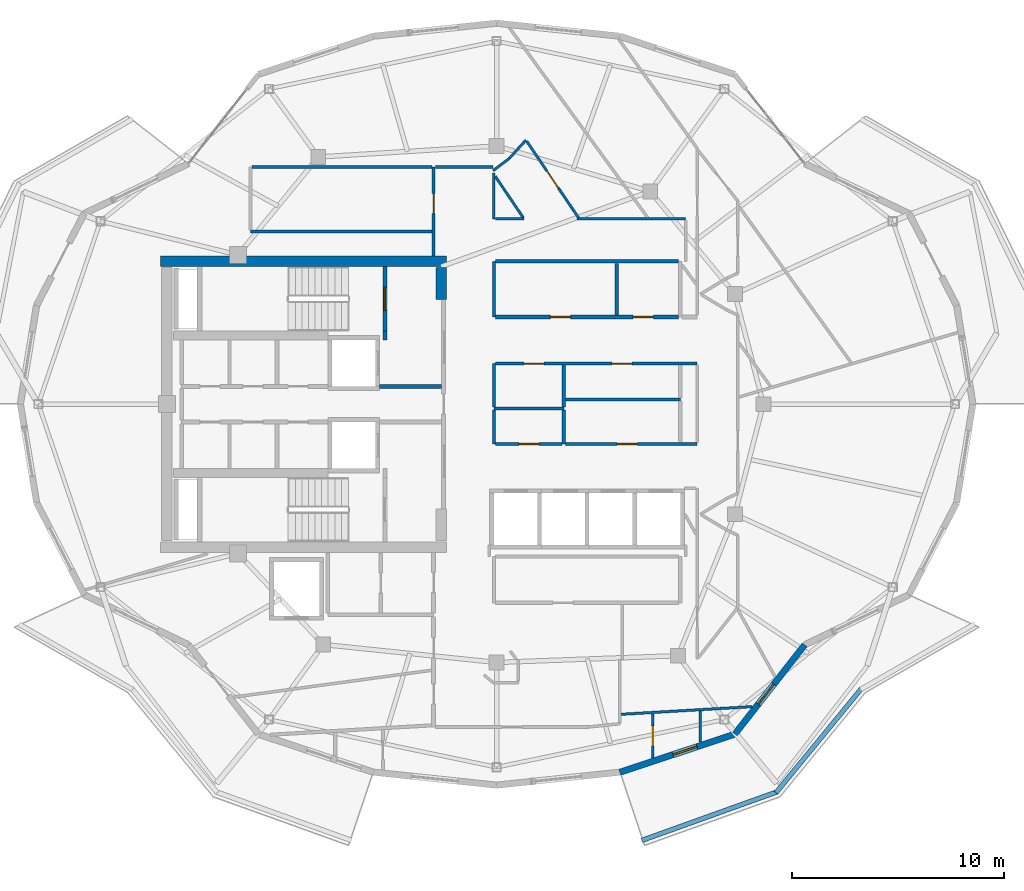
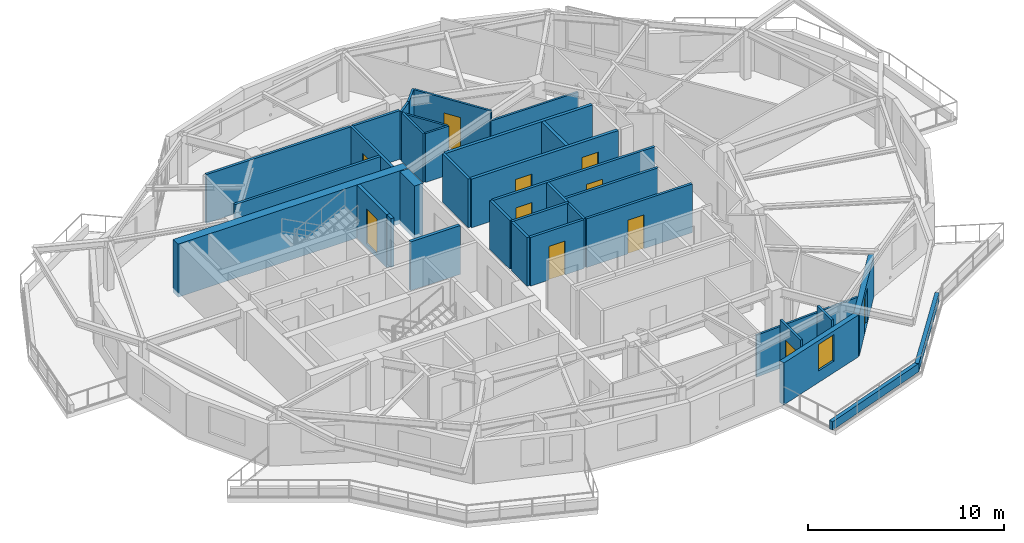
# One storey, part 9 of 14: 36 walls, 11 doors, 1 window, 12 openings.
"""IFC4 building model written with IfcOpenShell, lengths in metres."""

from ifc_helpers import new_model, si_unit, direction, frame, frame_2d, origin, place, context, subcontext, project, spatial, rectangle, extrude, material, layer, layer_set, type_object, element, fill, save


model = new_model("IFC4")

# Units and contexts
model_context = context("Model", 3, precision=1e-05, world=origin(), true_north=direction((0.0, 1.0)))
body_context = subcontext(model_context, "Body", "Model", "MODEL_VIEW")
ifc_project = project(units=[si_unit("LENGTHUNIT", "METRE"), si_unit("AREAUNIT", "SQUARE_METRE"), si_unit("VOLUMEUNIT", "CUBIC_METRE"), si_unit("PLANEANGLEUNIT", "RADIAN"), si_unit("MASSUNIT", "GRAM", prefix="KILO")], contexts=[model_context])

# Site, building, storey
site_placement = place(None, origin())
site = spatial("IfcSite", under=ifc_project, at=site_placement, CompositionType="ELEMENT")
building_placement = place(site_placement, origin())
building = spatial("IfcBuilding", under=site, at=building_placement, Name="Kolvaren Gate Tower and Convention Centre", CompositionType="ELEMENT")
storey_placement = place(building_placement, frame((0.0, 0.0, 245.89990234375)))
storey = spatial("IfcBuildingStorey", under=building, at=storey_placement, Name="L66", CompositionType="ELEMENT", Elevation=245.89990234375)

# Walls
ifc_material_1 = material(Name="Autoclaved Aerated Masonry Blockwork Class 4 (4.0 MPa)", Category="masonry")
ifc_layer_1 = layer(ifc_material_1, 0.179931640625)
ifc_layer_set_1 = layer_set([ifc_layer_1], Name="Autoclaved Aerated Masonry Blockwork Class 4 (4.0 MPa)")
wall_type_1 = type_object("IfcWallType", Name="ARCH-WL-COMP-180", PredefinedType="SOLIDWALL", material=ifc_layer_set_1)
wall_1_placement = place(storey_placement, frame((24.85009765625, 30.0400390625, 0.0), z_axis=(0.0, 0.0, 1.0), x_axis=(0.0, 1.0, 0.0)))
element("IfcWall", 1, at=wall_1_placement, inside=storey, type_object=wall_type_1, Name="Interior Partition WL-L66-INT-002", PredefinedType="SOLIDWALL", context=body_context, shape_type="SweptSolid", body=[
    extrude(rectangle(XDim=0.419921875, YDim=0.179931640625, at=frame_2d((0.2099609375, 0.0))), origin(), (0.0, 0.0, 1.0), 3.030029296875),
])
wall_2_placement = place(storey_placement, frame((24.60009765625, 27.840087890625, 0.0), z_axis=(0.0, 0.0, 1.0), x_axis=(1.0, 0.0, 0.0)))
element("IfcWall", 2, at=wall_2_placement, inside=storey, type_object=wall_type_1, Name="Interior Partition WL-L66-INT-004 (2)", PredefinedType="SOLIDWALL", context=body_context, shape_type="SweptSolid", body=[
    extrude(rectangle(XDim=2.927978515625, YDim=0.179931640625, at=frame_2d((1.4638671875, 0.0))), origin(), (0.0, 0.0, 1.0), 3.030029296875),
])

# Wall, openings, doors
wall_3_placement = place(storey_placement, frame((30.076904296875, 31.1201171875, 0.0), z_axis=(0.0, 0.0, 1.0), x_axis=(1.0, 0.0, 0.0)))
wall_3 = element("IfcWall", 3, at=wall_3_placement, inside=storey, type_object=wall_type_1, Name="Interior Partition WL-L66-INT-028", PredefinedType="SOLIDWALL", context=body_context, shape_type="SweptSolid", body=[
    extrude(rectangle(XDim=8.631103515625, YDim=0.179931640625, at=frame_2d((4.3154296875, 0.0))), origin(), (0.0, 0.0, 1.0), 3.030029296875),
])
opening_1_placement = place(wall_3_placement, frame((2.591552734375, 0.0, 0.0)))
opening_1 = element("IfcOpeningElement", 4, at=opening_1_placement, cuts=wall_3, Name="Opening DR-01", PredefinedType="OPENING", context=body_context, shape_type="SweptSolid", body=[
    extrude(rectangle(XDim=0.949951171875, YDim=2.10009765625, at=frame_2d((0.47509765625, 1.050048828125))), frame((0.0, 0.099853515625, 0.0), z_axis=(0.0, -1.0, 0.0), x_axis=(1.0, 0.0, 0.0)), (0.0, 0.0, 1.0), 0.199951171875),
])
opening_2_placement = place(wall_3_placement, frame((6.4970703125, 0.0, 0.0)))
opening_2 = element("IfcOpeningElement", 5, at=opening_2_placement, cuts=wall_3, Name="Opening DR-01", PredefinedType="OPENING", context=body_context, shape_type="SweptSolid", body=[
    extrude(rectangle(XDim=0.949951171875, YDim=2.10009765625, at=frame_2d((0.47509765625, 1.050048828125))), frame((0.0, 0.099853515625, 0.0), z_axis=(0.0, -1.0, 0.0), x_axis=(1.0, 0.0, 0.0)), (0.0, 0.0, 1.0), 0.199951171875),
])
ifc_material_2 = material(Name="Painted Architectural Steelwork ASTM A500 Grade C 345 MPa", Category="steel")
door_type_1 = type_object("IfcDoorType", Name="ARCH-DR-RISER-950", OperationType="SINGLE_SWING_RIGHT", PredefinedType="DOOR", material=ifc_material_2)
door_1_placement = place(opening_1_placement, origin())
door_1 = element("IfcDoor", 6, at=door_1_placement, inside=storey, type_object=door_type_1, Name="Steward Supply Store Door", OperationType="SINGLE_SWING_LEFT", OverallHeight=2.10009765625, OverallWidth=0.949951171875, PredefinedType="DOOR", context=body_context, shape_type="SweptSolid", body=[
    extrude(rectangle(XDim=0.949951171875, YDim=2.10009765625, at=frame_2d((0.47509765625, 1.050048828125))), frame((0.0, 0.02490234375, 0.0), z_axis=(0.0, -1.0, 0.0), x_axis=(1.0, 0.0, 0.0)), (0.0, 0.0, 1.0), 0.050048828125),
])
fill(opening_1, door_1)
door_2_placement = place(opening_2_placement, origin())
door_2 = element("IfcDoor", 7, at=door_2_placement, inside=storey, type_object=door_type_1, Name="Floor Telecom Switch Room Door", OperationType="SINGLE_SWING_RIGHT", OverallHeight=2.10009765625, OverallWidth=0.949951171875, PredefinedType="DOOR", context=body_context, shape_type="SweptSolid", body=[
    extrude(rectangle(XDim=0.949951171875, YDim=2.10009765625, at=frame_2d((0.47509765625, 1.050048828125))), frame((0.0, 0.02490234375, 0.0), z_axis=(0.0, -1.0, 0.0), x_axis=(1.0, 0.0, 0.0)), (0.0, 0.0, 1.0), 0.050048828125),
])
fill(opening_2, door_2)

# Walls
wall_4_placement = place(storey_placement, frame((30.076904296875, 33.75, 0.0), z_axis=(0.0, 0.0, 1.0), x_axis=(1.0, 0.0, 0.0)))
element("IfcWall", 8, at=wall_4_placement, inside=storey, type_object=wall_type_1, Name="Interior Partition WL-L66-INT-029", PredefinedType="SOLIDWALL", context=body_context, shape_type="SweptSolid", body=[
    extrude(rectangle(XDim=8.631103515625, YDim=0.179931640625, at=frame_2d((4.3154296875, 0.0))), origin(), (0.0, 0.0, 1.0), 3.030029296875),
])
wall_5_placement = place(storey_placement, frame((35.800048828125, 31.2119140625, 0.0), z_axis=(0.0, 0.0, 1.0), x_axis=(0.0, 1.0, 0.0)))
element("IfcWall", 9, at=wall_5_placement, inside=storey, type_object=wall_type_1, Name="Interior Partition WL-L66-INT-030", PredefinedType="SOLIDWALL", context=body_context, shape_type="SweptSolid", body=[
    extrude(rectangle(XDim=2.446044921875, YDim=0.179931640625, at=frame_2d((1.22314453125, 0.0))), origin(), (0.0, 0.0, 1.0), 3.030029296875),
])
ifc_material_3 = material(Name="Fire-Rated Acoustic Gypsum Stud Partition", Category="gypsum")
ifc_layer_2 = layer(ifc_material_3, 0.1201171875)
ifc_layer_set_2 = layer_set([ifc_layer_2], Name="Fire-Rated Acoustic Gypsum Stud Partition")
wall_type_2 = type_object("IfcWallType", Name="ARCH-WL-PART-120", PredefinedType="PARTITIONING", material=ifc_layer_set_2)
wall_6_placement = place(storey_placement, frame((30.0, 35.75, 0.0), z_axis=(0.0, 0.0, 1.0), x_axis=(0.0, 1.0, 0.0)))
element("IfcWall", 10, at=wall_6_placement, inside=storey, type_object=wall_type_2, Name="Interior Partition WL-L66-INT-020", PredefinedType="PARTITIONING", context=body_context, shape_type="SweptSolid", body=[
    extrude(rectangle(XDim=2.1640625, YDim=0.1201171875, at=frame_2d((1.08203125, 0.0))), origin(), (0.0, 0.0, 1.0), 3.030029296875),
])
wall_7_placement = place(storey_placement, frame((29.9599609375, 38.032958984375, 0.0), z_axis=(0.0, 0.0, 1.0), x_axis=(0.79811694623, 0.602502564426, 0.0)))
element("IfcWall", 11, at=wall_7_placement, inside=storey, type_object=wall_type_2, Name="Interior Partition WL-L66-INT-036", PredefinedType="PARTITIONING", context=body_context, shape_type="SweptSolid", body=[
    extrude(rectangle(XDim=0.950927734375, YDim=0.1201171875, at=frame_2d((0.4755859375, 0.0))), origin(), (0.0, 0.0, 1.0), 3.030029296875),
])
wall_8_placement = place(storey_placement, frame((30.718994140625, 38.60595703125, 0.0), z_axis=(0.0, 0.0, 1.0), x_axis=(0.671846687959, 0.740690237466, 0.0)))
element("IfcWall", 12, at=wall_8_placement, inside=storey, type_object=wall_type_2, Name="Interior Partition WL-L66-INT-037", PredefinedType="PARTITIONING", context=body_context, shape_type="SweptSolid", body=[
    extrude(rectangle(XDim=1.177490234375, YDim=0.1201171875, at=frame_2d((0.5888671875, 0.0))), origin(), (0.0, 0.0, 1.0), 3.030029296875),
])

# Wall, opening, door
wall_9_placement = place(storey_placement, frame((31.5458984375, 39.425048828125, 0.0), z_axis=(0.0, 0.0, 1.0), x_axis=(0.56035895857, -0.828249864202, 0.0)))
wall_9 = element("IfcWall", 13, at=wall_9_placement, inside=storey, type_object=wall_type_2, Name="Interior Partition WL-L66-INT-038", PredefinedType="PARTITIONING", context=body_context, shape_type="SweptSolid", body=[
    extrude(rectangle(XDim=4.370849609375, YDim=0.1201171875, at=frame_2d((2.185546875, 0.0))), origin(), (0.0, 0.0, 1.0), 3.030029296875),
])
opening_3_placement = place(wall_9_placement, frame((1.71044921875, 0.0, 0.0)))
opening_3 = element("IfcOpeningElement", 14, at=opening_3_placement, cuts=wall_9, Name="Opening DR-01", PredefinedType="OPENING", context=body_context, shape_type="SweptSolid", body=[
    extrude(rectangle(XDim=0.949951171875, YDim=2.10009765625, at=frame_2d((0.47509765625, 1.050048828125))), frame((0.0, 0.070068359375, 0.0), z_axis=(0.0, -1.0, 0.0), x_axis=(1.0, 0.0, 0.0)), (0.0, 0.0, 1.0), 0.14013671875),
])
door_3_placement = place(opening_3_placement, origin())
door_3 = element("IfcDoor", 15, at=door_3_placement, inside=storey, type_object=door_type_1, Name="Resident Private Study and Home Office Door", OperationType="SINGLE_SWING_LEFT", OverallHeight=2.10009765625, OverallWidth=0.949951171875, PredefinedType="DOOR", context=body_context, shape_type="SweptSolid", body=[
    extrude(rectangle(XDim=0.949951171875, YDim=2.10009765625, at=frame_2d((0.47509765625, 1.050048828125))), frame((0.0, 0.02490234375, 0.0), z_axis=(0.0, -1.0, 0.0), x_axis=(1.0, 0.0, 0.0)), (0.0, 0.0, 1.0), 0.050048828125),
])
fill(opening_3, door_3)

# Walls
wall_10_placement = place(storey_placement, frame((30.06201171875, 35.75, 0.0), z_axis=(0.0, 0.0, 1.0), x_axis=(1.0, 0.0, 0.0)))
element("IfcWall", 16, at=wall_10_placement, inside=storey, type_object=wall_type_2, Name="Interior Partition WL-L66-INT-039", PredefinedType="PARTITIONING", context=body_context, shape_type="SweptSolid", body=[
    extrude(rectangle(XDim=1.362060546875, YDim=0.1201171875, at=frame_2d((0.68115234375, 0.0))), origin(), (0.0, 0.0, 1.0), 3.030029296875),
])
wall_11_placement = place(storey_placement, frame((33.9130859375, 35.75, 0.0), z_axis=(0.0, 0.0, 1.0), x_axis=(1.0, 0.0, 0.0)))
element("IfcWall", 17, at=wall_11_placement, inside=storey, type_object=wall_type_2, Name="Interior Partition WL-L66-INT-040", PredefinedType="PARTITIONING", context=body_context, shape_type="SweptSolid", body=[
    extrude(rectangle(XDim=5.136962890625, YDim=0.1201171875, at=frame_2d((2.568359375, 0.0))), origin(), (0.0, 0.0, 1.0), 2.47802734375),
])
wall_12_placement = place(storey_placement, frame((30.06201171875, 37.76318359375, 0.0), z_axis=(0.0, 0.0, 1.0), x_axis=(0.560355372245, -0.828252290547, 0.0)))
element("IfcWall", 18, at=wall_12_placement, inside=storey, type_object=wall_type_2, Name="Interior Partition WL-L66-INT-065", PredefinedType="PARTITIONING", context=body_context, shape_type="SweptSolid", body=[
    extrude(rectangle(XDim=2.355712890625, YDim=0.1201171875, at=frame_2d((1.177734375, 0.0))), origin(), (0.0, 0.0, 1.0), 3.030029296875),
])
wall_13_placement = place(storey_placement, frame((36.011962890625, 12.350830078125, 0.0), z_axis=(0.0, 0.0, 1.0), x_axis=(0.998301967663, 0.058251020246, 0.0)))
element("IfcWall", 19, at=wall_13_placement, inside=storey, type_object=wall_type_2, Name="Interior Partition WL-L66-INT-074", PredefinedType="PARTITIONING", context=body_context, shape_type="SweptSolid", body=[
    extrude(rectangle(XDim=6.19873046875, YDim=0.1201171875, at=frame_2d((3.099365234375, 0.0))), origin(), (0.0, 0.0, 1.0), 2.60498046875),
])

# Wall, opening, door
wall_14_placement = place(storey_placement, frame((37.5, 10.28759765625, 0.0), z_axis=(0.0, 0.0, 1.0), x_axis=(0.0, 1.0, 0.0)))
wall_14 = element("IfcWall", 20, at=wall_14_placement, inside=storey, type_object=wall_type_2, Name="Interior Partition WL-L66-INT-076", PredefinedType="PARTITIONING", context=body_context, shape_type="SweptSolid", body=[
    extrude(rectangle(XDim=2.087890625, YDim=0.1201171875, at=frame_2d((1.0439453125, 0.0))), origin(), (0.0, 0.0, 1.0), 3.030029296875),
])
opening_4_placement = place(wall_14_placement, frame((0.569091796875, 0.0, 0.0)))
opening_4 = element("IfcOpeningElement", 21, at=opening_4_placement, cuts=wall_14, Name="Opening DI-01", PredefinedType="OPENING", context=body_context, shape_type="SweptSolid", body=[
    extrude(rectangle(XDim=0.949951171875, YDim=2.10009765625, at=frame_2d((0.47509765625, 1.050048828125))), frame((0.0, 0.070068359375, 0.0), z_axis=(0.0, -1.0, 0.0), x_axis=(1.0, 0.0, 0.0)), (0.0, 0.0, 1.0), 0.14013671875),
])
ifc_material_4 = material(Name="FSC Andean Oak Engineered Veneer Door Leaf", Category="wood")
door_type_2 = type_object("IfcDoorType", Name="ARCH-DR-INT-950", OperationType="SINGLE_SWING_LEFT", PredefinedType="DOOR", material=ifc_material_4)
door_4_placement = place(opening_4_placement, origin())
door_4 = element("IfcDoor", 22, at=door_4_placement, inside=storey, type_object=door_type_2, Name="Apartment Fitted Kitchen (APT-L66-01) Door", OperationType="SINGLE_SWING_RIGHT", OverallHeight=2.10009765625, OverallWidth=0.949951171875, PredefinedType="DOOR", context=body_context, shape_type="SweptSolid", body=[
    extrude(rectangle(XDim=0.949951171875, YDim=2.10009765625, at=frame_2d((0.47509765625, 1.050048828125))), frame((0.0, 0.02490234375, 0.0), z_axis=(0.0, -1.0, 0.0), x_axis=(1.0, 0.0, 0.0)), (0.0, 0.0, 1.0), 0.050048828125),
])
fill(opening_4, door_4)

# Walls
wall_15_placement = place(storey_placement, frame((39.75, 11.033203125, 0.0), z_axis=(0.0, 0.0, 1.0), x_axis=(0.0, 1.0, 0.0)))
element("IfcWall", 23, at=wall_15_placement, inside=storey, type_object=wall_type_2, Name="Interior Partition WL-L66-INT-077", PredefinedType="PARTITIONING", context=body_context, shape_type="SweptSolid", body=[
    extrude(rectangle(XDim=1.4736328125, YDim=0.1201171875, at=frame_2d((0.73681640625, 0.0))), origin(), (0.0, 0.0, 1.0), 3.030029296875),
])
ifc_material_5 = material(Name="Piedmont Cream Honed Limestone Cladding", Category="masonry")
ifc_layer_3 = layer(ifc_material_5, 0.219970703125)
ifc_layer_set_3 = layer_set([ifc_layer_3], Name="Piedmont Cream Honed Limestone Cladding")
wall_type_3 = type_object("IfcWallType", Name="ARCH-WL-PLANTER-220", PredefinedType="PARAPET", material=ifc_layer_set_3)
wall_16_placement = place(storey_placement, frame((36.982177734375, 6.3916015625, 0.0), z_axis=(0.0, 0.0, 1.0), x_axis=(0.941139090914, 0.338019543152, 0.0)))
element("IfcWall", 24, at=wall_16_placement, inside=storey, type_object=wall_type_3, Name="Vertical-Forest Balcony Stone Planter Kerb PK-L66-4.1", PredefinedType="PARAPET", context=body_context, shape_type="SweptSolid", body=[
    extrude(rectangle(XDim=6.806640625, YDim=0.219970703125, at=frame_2d((3.4033203125, 0.0))), origin(), (0.0, 0.0, 1.0), 0.52001953125),
])
wall_17_placement = place(storey_placement, frame((43.322998046875, 8.64599609375, 0.0), z_axis=(0.0, 0.0, 1.0), x_axis=(0.63407318032, 0.77327304492, 0.0)))
element("IfcWall", 25, at=wall_17_placement, inside=storey, type_object=wall_type_3, Name="Vertical-Forest Balcony Stone Planter Kerb PK-L66-4.2", PredefinedType="PARAPET", context=body_context, shape_type="SweptSolid", body=[
    extrude(rectangle(XDim=6.37890625, YDim=0.219970703125, at=frame_2d((3.189453125, 0.0))), origin(), (0.0, 0.0, 1.0), 0.52001953125),
])

# Wall, opening, window
ifc_layer_4 = layer(ifc_material_5, 0.300048828125)
ifc_layer_set_4 = layer_set([ifc_layer_4], Name="Piedmont Cream Honed Limestone Cladding")
wall_type_4 = type_object("IfcWallType", Name="ARCH-WL-STONE-300", PredefinedType="SOLIDWALL", material=ifc_layer_set_4)
wall_18_placement = place(storey_placement, frame((35.948486328125, 9.61328125, 0.0), z_axis=(0.0, 0.0, 1.0), x_axis=(0.949232769585, 0.314574552605, 0.0)))
wall_18 = element("IfcWall", 26, at=wall_18_placement, inside=storey, type_object=wall_type_4, Name="Tower L66 Honed Stone Spandrel Wall EW-19", PredefinedType="SOLIDWALL", context=body_context, shape_type="SweptSolid", body=[
    extrude(rectangle(XDim=5.716796875, YDim=0.300048828125, at=frame_2d((2.8583984375, 0.0))), origin(), (0.0, 0.0, 1.0), 2.60498046875),
])
opening_5_placement = place(wall_18_placement, frame((2.639892578125, 0.0, 0.719970703125)))
opening_5 = element("IfcOpeningElement", 27, at=opening_5_placement, cuts=wall_18, Name="Opening W-04", PredefinedType="OPENING", context=body_context, shape_type="SweptSolid", body=[
    extrude(rectangle(XDim=1.199951171875, YDim=1.64990234375, at=frame_2d((0.60009765625, 0.824951171875))), frame((0.0, 0.159912109375, 0.0), z_axis=(0.0, -1.0, 0.0), x_axis=(1.0, 0.0, 0.0)), (0.0, 0.0, 1.0), 0.320068359375),
])
ifc_material_6 = material(Name="Low-E Triple Insulated Glazing Unit 44 mm", Category="glass")
window_type = type_object("IfcWindowType", Name="ARCH-WN-NARROW-1200", PartitioningType="SINGLE_PANEL", PredefinedType="WINDOW", material=ifc_material_6)
window_placement = place(opening_5_placement, origin())
window = element("IfcWindow", 28, at=window_placement, inside=storey, type_object=window_type, Name="Tower L66 Punched Stone Facade Window W-19", OverallHeight=1.64990234375, OverallWidth=1.199951171875, PartitioningType="SINGLE_PANEL", PredefinedType="WINDOW", context=body_context, shape_type="SweptSolid", body=[
    extrude(rectangle(XDim=1.199951171875, YDim=1.64990234375, at=frame_2d((0.60009765625, 0.824951171875))), frame((0.0, 0.030029296875, 0.0), z_axis=(0.0, -1.0, 0.0), x_axis=(1.0, 0.0, 0.0)), (0.0, 0.0, 1.0), 0.06005859375),
])
fill(opening_5, window)

# Wall, opening, door
wall_19_placement = place(storey_placement, frame((41.375, 11.41162109375, 0.0), z_axis=(0.0, 0.0, 1.0), x_axis=(0.61644588519, 0.787397276241, 0.0)))
wall_19 = element("IfcWall", 29, at=wall_19_placement, inside=storey, type_object=wall_type_4, Name="Tower L66 Honed Stone Spandrel Wall EW-20", PredefinedType="SOLIDWALL", context=body_context, shape_type="SweptSolid", body=[
    extrude(rectangle(XDim=5.35693359375, YDim=0.300048828125, at=frame_2d((2.678466796875, 0.0))), origin(), (0.0, 0.0, 1.0), 2.60498046875),
])
opening_6_placement = place(wall_19_placement, frame((1.800048828125, 0.0, 0.0)))
opening_6 = element("IfcOpeningElement", 30, at=opening_6_placement, cuts=wall_19, Name="Opening DB-02", PredefinedType="OPENING", context=body_context, shape_type="SweptSolid", body=[
    extrude(rectangle(XDim=1.199951171875, YDim=2.199951171875, at=frame_2d((0.60009765625, 1.10009765625))), frame((0.0, 0.159912109375, 0.0), z_axis=(0.0, -1.0, 0.0), x_axis=(1.0, 0.0, 0.0)), (0.0, 0.0, 1.0), 0.320068359375),
])
ifc_material_7 = material(Name="Anodized Architectural Aluminium Alloy 6063-T6", Category="aluminium")
door_type_3 = type_object("IfcDoorType", Name="ARCH-DR-BALC-1200", OperationType="NOTDEFINED", PredefinedType="DOOR", material=ifc_material_7)
door_5_placement = place(opening_6_placement, frame((1.199951171875, 0.0, 0.0), z_axis=(0.0, 0.0, 1.0), x_axis=(-1.0, 0.0, 0.0)))
door_5 = element("IfcDoor", 31, at=door_5_placement, inside=storey, type_object=door_type_3, Name="Planted Sky Terrace Access Door DB-L66-20", OperationType="SLIDING_TO_LEFT", OverallHeight=2.199951171875, OverallWidth=1.199951171875, PredefinedType="DOOR", context=body_context, shape_type="SweptSolid", body=[
    extrude(rectangle(XDim=1.199951171875, YDim=2.199951171875, at=frame_2d((0.60009765625, 1.10009765625))), frame((0.0, 0.02490234375, 0.0), z_axis=(0.0, -1.0, 0.0), x_axis=(1.0, 0.0, 0.0)), (0.0, 0.0, 1.0), 0.050048828125),
])
fill(opening_6, door_5)

ifc_material_8 = material(Name="Moisture-Resistant Cement-Board Acoustic Partition", Category="gypsum")
ifc_layer_5 = layer(ifc_material_8, 0.14990234375)
ifc_layer_set_5 = layer_set([ifc_layer_5], Name="Moisture-Resistant Cement-Board Acoustic Partition")
wall_type_5 = type_object("IfcWallType", Name="ARCH-WL-WET-150", PredefinedType="PARTITIONING", material=ifc_layer_set_5)
wall_20_placement = place(storey_placement, frame((27.14990234375, 34.001953125, 0.0), z_axis=(0.0, 0.0, 1.0), x_axis=(0.0, 1.0, 0.0)))
wall_20 = element("IfcWall", 32, at=wall_20_placement, inside=storey, type_object=wall_type_5, Name="Interior Partition WL-L66-INT-015", PredefinedType="PARTITIONING", context=body_context, shape_type="SweptSolid", body=[
    extrude(rectangle(XDim=4.197998046875, YDim=0.14990234375, at=frame_2d((2.09912109375, 0.0))), origin(), (0.0, 0.0, 1.0), 3.030029296875),
])
opening_7_placement = place(wall_20_placement, frame((1.998046875, 0.0, 0.0)))
opening_7 = element("IfcOpeningElement", 33, at=opening_7_placement, cuts=wall_20, Name="Opening DR-01", PredefinedType="OPENING", context=body_context, shape_type="SweptSolid", body=[
    extrude(rectangle(XDim=0.949951171875, YDim=2.10009765625, at=frame_2d((0.47509765625, 1.050048828125))), frame((0.0, 0.0849609375, 0.0), z_axis=(0.0, -1.0, 0.0), x_axis=(1.0, 0.0, 0.0)), (0.0, 0.0, 1.0), 0.169921875),
])
door_6_placement = place(opening_7_placement, origin())
door_6 = element("IfcDoor", 34, at=door_6_placement, inside=storey, type_object=door_type_1, Name="Reclaimed North Resident Store Door", OperationType="SINGLE_SWING_RIGHT", OverallHeight=2.10009765625, OverallWidth=0.949951171875, PredefinedType="DOOR", context=body_context, shape_type="SweptSolid", body=[
    extrude(rectangle(XDim=0.949951171875, YDim=2.10009765625, at=frame_2d((0.47509765625, 1.050048828125))), frame((0.0, 0.02490234375, 0.0), z_axis=(0.0, -1.0, 0.0), x_axis=(1.0, 0.0, 0.0)), (0.0, 0.0, 1.0), 0.050048828125),
])
fill(opening_7, door_6)

# Walls
wall_21_placement = place(storey_placement, frame((30.0, 26.800048828125, 0.0), z_axis=(0.0, 0.0, 1.0), x_axis=(1.0, 0.0, 0.0)))
element("IfcWall", 35, at=wall_21_placement, inside=storey, type_object=wall_type_5, Name="Interior Partition WL-L66-INT-016", PredefinedType="PARTITIONING", context=body_context, shape_type="SweptSolid", body=[
    extrude(rectangle(XDim=3.300048828125, YDim=0.14990234375, at=frame_2d((1.64990234375, 0.0))), origin(), (0.0, 0.0, 1.0), 3.030029296875),
])
wall_22_placement = place(storey_placement, frame((30.0, 25.1201171875, 0.0), z_axis=(0.0, 0.0, 1.0), x_axis=(0.0, 1.0, 0.0)))
element("IfcWall", 36, at=wall_22_placement, inside=storey, type_object=wall_type_5, Name="Interior Partition WL-L66-INT-018", PredefinedType="PARTITIONING", context=body_context, shape_type="SweptSolid", body=[
    extrude(rectangle(XDim=1.602783203125, YDim=0.14990234375, at=frame_2d((0.80126953125, 0.0))), origin(), (0.0, 0.0, 1.0), 3.030029296875),
])
wall_23_placement = place(storey_placement, frame((30.0, 26.876953125, 0.0), z_axis=(0.0, 0.0, 1.0), x_axis=(0.0, 1.0, 0.0)))
element("IfcWall", 37, at=wall_23_placement, inside=storey, type_object=wall_type_5, Name="Interior Partition WL-L66-INT-018 (2)", PredefinedType="PARTITIONING", context=body_context, shape_type="SweptSolid", body=[
    extrude(rectangle(XDim=2.04296875, YDim=0.14990234375, at=frame_2d((1.021484375, 0.0))), origin(), (0.0, 0.0, 1.0), 3.030029296875),
])
wall_24_placement = place(storey_placement, frame((30.0, 31.1201171875, 0.0), z_axis=(0.0, 0.0, 1.0), x_axis=(0.0, 1.0, 0.0)))
element("IfcWall", 38, at=wall_24_placement, inside=storey, type_object=wall_type_5, Name="Interior Partition WL-L66-INT-019", PredefinedType="PARTITIONING", context=body_context, shape_type="SweptSolid", body=[
    extrude(rectangle(XDim=2.6298828125, YDim=0.14990234375, at=frame_2d((1.31494140625, 0.0))), origin(), (0.0, 0.0, 1.0), 3.030029296875),
])

# Wall, openings, doors
wall_25_placement = place(storey_placement, frame((30.076904296875, 28.919921875, 0.0), z_axis=(0.0, 0.0, 1.0), x_axis=(1.0, 0.0, 0.0)))
wall_25 = element("IfcWall", 39, at=wall_25_placement, inside=storey, type_object=wall_type_5, Name="Interior Partition WL-L66-INT-021", PredefinedType="PARTITIONING", context=body_context, shape_type="SweptSolid", body=[
    extrude(rectangle(XDim=9.523193359375, YDim=0.14990234375, at=frame_2d((4.76171875, 0.0))), origin(), (0.0, 0.0, 1.0), 3.030029296875),
])
opening_8_placement = place(wall_25_placement, frame((1.341552734375, 0.0, 0.0)))
opening_8 = element("IfcOpeningElement", 40, at=opening_8_placement, cuts=wall_25, Name="Opening DR-01", PredefinedType="OPENING", context=body_context, shape_type="SweptSolid", body=[
    extrude(rectangle(XDim=0.949951171875, YDim=2.10009765625, at=frame_2d((0.47509765625, 1.050048828125))), frame((0.0, 0.0849609375, 0.0), z_axis=(0.0, -1.0, 0.0), x_axis=(1.0, 0.0, 0.0)), (0.0, 0.0, 1.0), 0.169921875),
])
opening_9_placement = place(wall_25_placement, frame((5.498046875, 0.0, 0.0)))
opening_9 = element("IfcOpeningElement", 41, at=opening_9_placement, cuts=wall_25, Name="Opening DR-01", PredefinedType="OPENING", context=body_context, shape_type="SweptSolid", body=[
    extrude(rectangle(XDim=0.949951171875, YDim=2.10009765625, at=frame_2d((0.47509765625, 1.050048828125))), frame((0.0, 0.0849609375, 0.0), z_axis=(0.0, -1.0, 0.0), x_axis=(1.0, 0.0, 0.0)), (0.0, 0.0, 1.0), 0.169921875),
])
door_7_placement = place(opening_8_placement, origin())
door_7 = element("IfcDoor", 42, at=door_7_placement, inside=storey, type_object=door_type_1, Name="Accessible North Washroom Door", OperationType="SINGLE_SWING_LEFT", OverallHeight=2.10009765625, OverallWidth=0.949951171875, PredefinedType="DOOR", context=body_context, shape_type="SweptSolid", body=[
    extrude(rectangle(XDim=0.949951171875, YDim=2.10009765625, at=frame_2d((0.47509765625, 1.050048828125))), frame((0.0, 0.02490234375, 0.0), z_axis=(0.0, -1.0, 0.0), x_axis=(1.0, 0.0, 0.0)), (0.0, 0.0, 1.0), 0.050048828125),
])
fill(opening_8, door_7)
door_8_placement = place(opening_9_placement, origin())
door_8 = element("IfcDoor", 43, at=door_8_placement, inside=storey, type_object=door_type_1, Name="Floor Janitor and Supply Store Door", OperationType="SINGLE_SWING_LEFT", OverallHeight=2.10009765625, OverallWidth=0.949951171875, PredefinedType="DOOR", context=body_context, shape_type="SweptSolid", body=[
    extrude(rectangle(XDim=0.949951171875, YDim=2.10009765625, at=frame_2d((0.47509765625, 1.050048828125))), frame((0.0, 0.02490234375, 0.0), z_axis=(0.0, -1.0, 0.0), x_axis=(1.0, 0.0, 0.0)), (0.0, 0.0, 1.0), 0.050048828125),
])
fill(opening_9, door_8)

# Walls
wall_26_placement = place(storey_placement, frame((33.300048828125, 25.1201171875, 0.0), z_axis=(0.0, 0.0, 1.0), x_axis=(0.0, 1.0, 0.0)))
element("IfcWall", 44, at=wall_26_placement, inside=storey, type_object=wall_type_5, Name="Interior Partition WL-L66-INT-022", PredefinedType="PARTITIONING", context=body_context, shape_type="SweptSolid", body=[
    extrude(rectangle(XDim=1.602783203125, YDim=0.14990234375, at=frame_2d((0.80126953125, 0.0))), origin(), (0.0, 0.0, 1.0), 3.030029296875),
])
wall_27_placement = place(storey_placement, frame((33.300048828125, 26.876953125, 0.0), z_axis=(0.0, 0.0, 1.0), x_axis=(0.0, 1.0, 0.0)))
element("IfcWall", 45, at=wall_27_placement, inside=storey, type_object=wall_type_5, Name="Interior Partition WL-L66-INT-022 (2)", PredefinedType="PARTITIONING", context=body_context, shape_type="SweptSolid", body=[
    extrude(rectangle(XDim=1.966064453125, YDim=0.14990234375, at=frame_2d((0.98291015625, 0.0))), origin(), (0.0, 0.0, 1.0), 3.030029296875),
])

# Wall, opening, door
wall_28_placement = place(storey_placement, frame((30.076904296875, 25.1201171875, 0.0), z_axis=(0.0, 0.0, 1.0), x_axis=(1.0, 0.0, 0.0)))
wall_28 = element("IfcWall", 46, at=wall_28_placement, inside=storey, type_object=wall_type_5, Name="Interior Partition WL-L66-INT-023", PredefinedType="PARTITIONING", context=body_context, shape_type="SweptSolid", body=[
    extrude(rectangle(XDim=3.14599609375, YDim=0.14990234375, at=frame_2d((1.572998046875, 0.0))), origin(), (0.0, 0.0, 1.0), 3.030029296875),
])
opening_10_placement = place(wall_28_placement, frame((1.097900390625, 0.0, 0.0)))
opening_10 = element("IfcOpeningElement", 47, at=opening_10_placement, cuts=wall_28, Name="Opening DR-01", PredefinedType="OPENING", context=body_context, shape_type="SweptSolid", body=[
    extrude(rectangle(XDim=0.949951171875, YDim=2.10009765625, at=frame_2d((0.47509765625, 1.050048828125))), frame((0.0, 0.0849609375, 0.0), z_axis=(0.0, -1.0, 0.0), x_axis=(1.0, 0.0, 0.0)), (0.0, 0.0, 1.0), 0.169921875),
])
door_9_placement = place(opening_10_placement, origin())
door_9 = element("IfcDoor", 48, at=door_9_placement, inside=storey, type_object=door_type_1, Name="South Visitor Washroom Door", OperationType="SINGLE_SWING_RIGHT", OverallHeight=2.10009765625, OverallWidth=0.949951171875, PredefinedType="DOOR", context=body_context, shape_type="SweptSolid", body=[
    extrude(rectangle(XDim=0.949951171875, YDim=2.10009765625, at=frame_2d((0.47509765625, 1.050048828125))), frame((0.0, 0.02490234375, 0.0), z_axis=(0.0, -1.0, 0.0), x_axis=(1.0, 0.0, 0.0)), (0.0, 0.0, 1.0), 0.050048828125),
])
fill(opening_10, door_9)

wall_29_placement = place(storey_placement, frame((33.376953125, 25.1201171875, 0.0), z_axis=(0.0, 0.0, 1.0), x_axis=(1.0, 0.0, 0.0)))
wall_29 = element("IfcWall", 49, at=wall_29_placement, inside=storey, type_object=wall_type_5, Name="Interior Partition WL-L66-INT-023 (2)", PredefinedType="PARTITIONING", context=body_context, shape_type="SweptSolid", body=[
    extrude(rectangle(XDim=6.22314453125, YDim=0.14990234375, at=frame_2d((3.111572265625, 0.0))), origin(), (0.0, 0.0, 1.0), 3.030029296875),
])
opening_11_placement = place(wall_29_placement, frame((2.44140625, 0.0, 0.0)))
opening_11 = element("IfcOpeningElement", 50, at=opening_11_placement, cuts=wall_29, Name="Opening DR-01", PredefinedType="OPENING", context=body_context, shape_type="SweptSolid", body=[
    extrude(rectangle(XDim=0.949951171875, YDim=2.10009765625, at=frame_2d((0.47509765625, 1.050048828125))), frame((0.0, 0.0849609375, 0.0), z_axis=(0.0, -1.0, 0.0), x_axis=(1.0, 0.0, 0.0)), (0.0, 0.0, 1.0), 0.169921875),
])
door_10_placement = place(opening_11_placement, origin())
door_10 = element("IfcDoor", 51, at=door_10_placement, inside=storey, type_object=door_type_1, Name="Floor Coffee Pantry Door", OperationType="SINGLE_SWING_RIGHT", OverallHeight=2.10009765625, OverallWidth=0.949951171875, PredefinedType="DOOR", context=body_context, shape_type="SweptSolid", body=[
    extrude(rectangle(XDim=0.949951171875, YDim=2.10009765625, at=frame_2d((0.47509765625, 1.050048828125))), frame((0.0, 0.02490234375, 0.0), z_axis=(0.0, -1.0, 0.0), x_axis=(1.0, 0.0, 0.0)), (0.0, 0.0, 1.0), 0.050048828125),
])
fill(opening_11, door_10)

# Walls
wall_30_placement = place(storey_placement, frame((33.376953125, 27.219970703125, 0.0), z_axis=(0.0, 0.0, 1.0), x_axis=(1.0, 0.0, 0.0)))
element("IfcWall", 52, at=wall_30_placement, inside=storey, type_object=wall_type_5, Name="Interior Partition WL-L66-INT-024", PredefinedType="PARTITIONING", context=body_context, shape_type="SweptSolid", body=[
    extrude(rectangle(XDim=5.423095703125, YDim=0.14990234375, at=frame_2d((2.71142578125, 0.0))), origin(), (0.0, 0.0, 1.0), 3.030029296875),
])
wall_31_placement = place(storey_placement, frame((18.5, 35.159912109375, 0.0), z_axis=(0.0, 0.0, 1.0), x_axis=(1.0, 0.0, 0.0)))
element("IfcWall", 53, at=wall_31_placement, inside=storey, type_object=wall_type_5, Name="Interior Partition WL-L66-INT-033", PredefinedType="PARTITIONING", context=body_context, shape_type="SweptSolid", body=[
    extrude(rectangle(XDim=8.572998046875, YDim=0.14990234375, at=frame_2d((4.28662109375, 0.0))), origin(), (0.0, 0.0, 1.0), 3.030029296875),
])
wall_32_placement = place(storey_placement, frame((18.576904296875, 38.199951171875, 0.0), z_axis=(0.0, 0.0, 1.0), x_axis=(1.0, 0.0, 0.0)))
element("IfcWall", 54, at=wall_32_placement, inside=storey, type_object=wall_type_5, Name="Interior Partition WL-L66-INT-035", PredefinedType="PARTITIONING", context=body_context, shape_type="SweptSolid", body=[
    extrude(rectangle(XDim=8.49609375, YDim=0.14990234375, at=frame_2d((4.248046875, 0.0))), origin(), (0.0, 0.0, 1.0), 3.030029296875),
])
wall_33_placement = place(storey_placement, frame((27.22705078125, 38.199951171875, 0.0), z_axis=(0.0, 0.0, 1.0), x_axis=(1.0, 0.0, 0.0)))
element("IfcWall", 55, at=wall_33_placement, inside=storey, type_object=wall_type_5, Name="Interior Partition WL-L66-INT-035 (2)", PredefinedType="PARTITIONING", context=body_context, shape_type="SweptSolid", body=[
    extrude(rectangle(XDim=2.73291015625, YDim=0.14990234375, at=frame_2d((1.366455078125, 0.0))), origin(), (0.0, 0.0, 1.0), 3.030029296875),
])
ifc_material_9 = material(Name="Concrete C50/60", Category="concrete")
ifc_layer_6 = layer(ifc_material_9, 0.5)
ifc_layer_set_6 = layer_set([ifc_layer_6], Name="Concrete C50/60")
wall_type_6 = type_object("IfcWallType", Name="STR-WL-CORE-500", PredefinedType="SHEAR", material=ifc_layer_set_6)
wall_34_placement = place(storey_placement, frame((14.25, 33.75, -0.27001953125), z_axis=(0.0, 0.0, 1.0), x_axis=(1.0, 0.0, 0.0)))
element("IfcWall", 56, at=wall_34_placement, inside=storey, type_object=wall_type_6, Name="Tower L66 Offset Core Shear Wall N", PredefinedType="SHEAR", context=body_context, shape_type="SweptSolid", body=[
    extrude(rectangle(XDim=13.5, YDim=0.5, at=frame_2d((6.75, 0.0))), origin(), (0.0, 0.0, 1.0), 3.300048828125),
])
wall_35_placement = place(storey_placement, frame((27.5, 31.949951171875, -0.27001953125), z_axis=(0.0, 0.0, 1.0), x_axis=(0.0, 1.0, 0.0)))
element("IfcWall", 57, at=wall_35_placement, inside=storey, type_object=wall_type_6, Name="Tower L66 Offset Core Shear Wall EN", PredefinedType="SHEAR", context=body_context, shape_type="SweptSolid", body=[
    extrude(rectangle(XDim=1.5, YDim=0.5, at=frame_2d((0.75, 0.0))), origin(), (0.0, 0.0, 1.0), 3.300048828125),
])

# Wall, opening, door
ifc_layer_7 = layer(ifc_material_9, 0.199951171875)
ifc_layer_set_7 = layer_set([ifc_layer_7], Name="Concrete C50/60")
wall_type_7 = type_object("IfcWallType", Name="STR-WL-SHAFT-200", PredefinedType="SHEAR", material=ifc_layer_set_7)
wall_36_placement = place(storey_placement, frame((24.85009765625, 30.4599609375, -0.27001953125), z_axis=(0.0, 0.0, 1.0), x_axis=(0.0, 1.0, 0.0)))
wall_36 = element("IfcWall", 58, at=wall_36_placement, inside=storey, type_object=wall_type_7, Name="Tower North Exit Stair ST-T1 L66 Structural Shear Enclosure Wall NEAR", PredefinedType="SHEAR", context=body_context, shape_type="SweptSolid", body=[
    extrude(rectangle(XDim=3.0380859375, YDim=0.199951171875, at=frame_2d((1.51904296875, 0.0))), origin(), (0.0, 0.0, 1.0), 3.300048828125),
])
opening_12_placement = place(wall_36_placement, frame((0.968994140625, 0.0, 0.27001953125)))
opening_12 = element("IfcOpeningElement", 59, at=opening_12_placement, cuts=wall_36, Name="Opening DS-01", PredefinedType="OPENING", context=body_context, shape_type="SweptSolid", body=[
    extrude(rectangle(XDim=1.10009765625, YDim=2.14990234375, at=frame_2d((0.550048828125, 1.074951171875))), frame((0.0, 0.10986328125, 0.0), z_axis=(0.0, -1.0, 0.0), x_axis=(1.0, 0.0, 0.0)), (0.0, 0.0, 1.0), 0.219970703125),
])
door_type_4 = type_object("IfcDoorType", Name="ARCH-DR-STAIR-1100", OperationType="SINGLE_SWING_LEFT", PredefinedType="DOOR", material=ifc_material_2)
door_11_placement = place(opening_12_placement, origin())
door_11 = element("IfcDoor", 60, at=door_11_placement, inside=storey, type_object=door_type_4, Name="Tower North Exit Stair ST-T1 L66 Fire Exit Stair Door", OperationType="SINGLE_SWING_RIGHT", OverallHeight=2.14990234375, OverallWidth=1.10009765625, PredefinedType="DOOR", context=body_context, shape_type="SweptSolid", body=[
    extrude(rectangle(XDim=1.10009765625, YDim=2.14990234375, at=frame_2d((0.550048828125, 1.074951171875))), frame((0.0, 0.02490234375, 0.0), z_axis=(0.0, -1.0, 0.0), x_axis=(1.0, 0.0, 0.0)), (0.0, 0.0, 1.0), 0.050048828125),
])
fill(opening_12, door_11)

save(model, "model.ifc")
